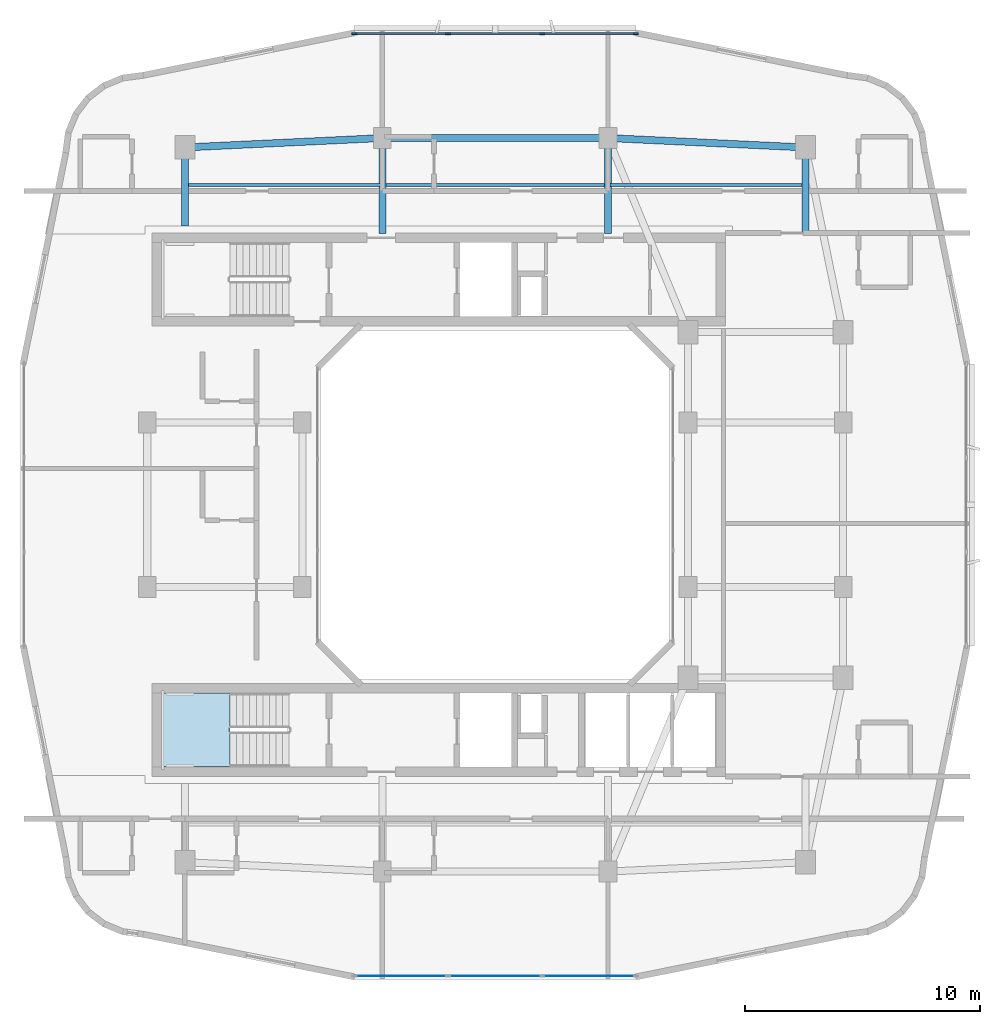
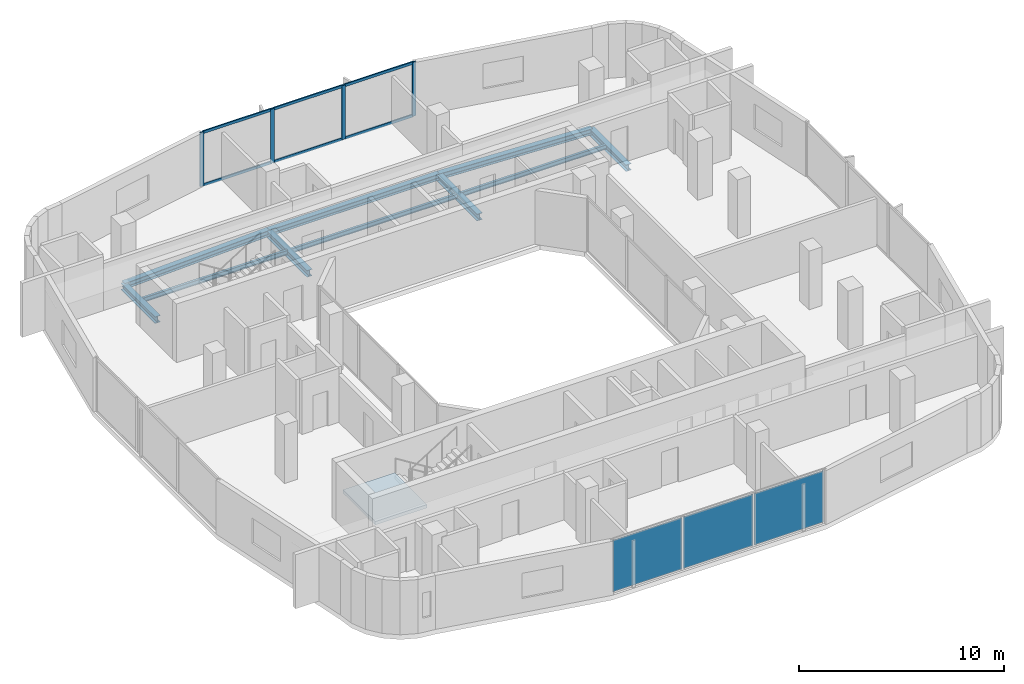
# One storey, part 5 of 14: 10 beams, 10 members, 3 plates, 1 slab, 3 elements without a shape of their own.
"""IFC4 building model written with IfcOpenShell, lengths in metres."""

from ifc_helpers import new_model, si_unit, derived_unit, direction, frame, origin, origin_2d, place, context, subcontext, project, spatial, polyline, rectangle, i_section, outline, extrude, material, layer, layer_set, material_profile, profile_set, type_object, element, aggregate, save


model = new_model("IFC4")

# Units and contexts
model_context = context("Model", 3, precision=1e-05, world=origin(), true_north=direction((0.0, 1.0)))
body_context = subcontext(model_context, "Body", "Model", "MODEL_VIEW")
ifc_project = project(units=[si_unit("LENGTHUNIT", "METRE"), si_unit("AREAUNIT", "SQUARE_METRE"), si_unit("VOLUMEUNIT", "CUBIC_METRE"), si_unit("PLANEANGLEUNIT", "RADIAN"), si_unit("MASSUNIT", "GRAM", prefix="KILO"), derived_unit("THERMALTRANSMITTANCEUNIT", [(si_unit("POWERUNIT", "WATT"), 1), (si_unit("LENGTHUNIT", "METRE"), -2), (si_unit("THERMODYNAMICTEMPERATUREUNIT", "KELVIN"), -1)])], contexts=[model_context])

# Site, building, storey
site_placement = place(None, origin())
site = spatial("IfcSite", under=ifc_project, at=site_placement, CompositionType="ELEMENT")
building_placement = place(site_placement, origin())
building = spatial("IfcBuilding", under=site, at=building_placement, Name="Kivonza Crest Hotel", CompositionType="ELEMENT")
storey_placement = place(building_placement, frame((0.0, 0.0, 148.5)))
storey = spatial("IfcBuildingStorey", under=building, at=storey_placement, Name="L40", CompositionType="ELEMENT", Elevation=148.5)

# Beams
ifc_material_1 = material(Name="Steel S355", Category="steel")
ifc_material_profile_1 = material_profile(ifc_material_1, i_section(OverallWidth=0.300048828125, OverallDepth=0.360107421875, WebThickness=0.012451171875, FlangeThickness=0.0224609375, FilletRadius=0.027099609375, at=origin_2d()), Name="HEB 360")
ifc_profile_set_1 = profile_set([ifc_material_profile_1], Name="Steel S355")
beam_type_1 = type_object("IfcBeamType", Name="BM-HEB360", PredefinedType="SPANDREL", material=ifc_profile_set_1)
beam_1_placement = place(storey_placement, frame((34.199951171875, 40.199951171875, -0.4599609375), z_axis=(-0.998867283688, 0.047583080799, 0.0), x_axis=(-0.047583080799, -0.998867283688, 0.0)))
element("IfcBeam", 1, at=beam_1_placement, inside=storey, type_object=beam_type_1, Name="Tower T1 L40 perimeter spandrel NE-N2", PredefinedType="SPANDREL", context=body_context, shape_type="SweptSolid", body=[
    extrude(i_section(OverallWidth=0.300048828125, OverallDepth=0.360107421875, WebThickness=0.012451171875, FlangeThickness=0.0224609375, FilletRadius=0.027099609375, at=origin_2d()), origin(), (0.0, 0.0, 1.0), 8.409423828125),
])
beam_2_placement = place(storey_placement, frame((25.800048828125, 40.60009765625, -0.4599609375), z_axis=(-1.0, 0.0, 0.0), x_axis=(0.0, -1.0, 0.0)))
element("IfcBeam", 2, at=beam_2_placement, inside=storey, type_object=beam_type_1, Name="Tower T1 L40 perimeter spandrel N2-N1", PredefinedType="SPANDREL", context=body_context, shape_type="SweptSolid", body=[
    extrude(i_section(OverallWidth=0.300048828125, OverallDepth=0.360107421875, WebThickness=0.012451171875, FlangeThickness=0.0224609375, FilletRadius=0.027099609375, at=origin_2d()), origin(), (0.0, 0.0, 1.0), 9.60009765625),
])
beam_3_placement = place(storey_placement, frame((16.199951171875, 40.60009765625, -0.4599609375), z_axis=(-0.998867283688, -0.047583080799, 0.0), x_axis=(0.047583080799, -0.998867283688, 0.0)))
element("IfcBeam", 3, at=beam_3_placement, inside=storey, type_object=beam_type_1, Name="Tower T1 L40 perimeter spandrel N1-NW", PredefinedType="SPANDREL", context=body_context, shape_type="SweptSolid", body=[
    extrude(i_section(OverallWidth=0.300048828125, OverallDepth=0.360107421875, WebThickness=0.012451171875, FlangeThickness=0.0224609375, FilletRadius=0.027099609375, at=origin_2d()), origin(), (0.0, 0.0, 1.0), 8.409423828125),
])
ifc_material_profile_2 = material_profile(ifc_material_1, i_section(OverallWidth=0.300048828125, OverallDepth=0.39990234375, WebThickness=0.013427734375, FlangeThickness=0.02392578125, FilletRadius=0.027099609375, at=origin_2d()), Name="HEB 400")
ifc_profile_set_2 = profile_set([ifc_material_profile_2], Name="Steel S355")
beam_type_2 = type_object("IfcBeamType", Name="BM-HEB400", PredefinedType="BEAM", material=ifc_profile_set_2)
beam_4_placement = place(storey_placement, frame((7.800048828125, 40.199951171875, -0.47998046875), z_axis=(0.0, -1.0, 0.0), x_axis=(1.0, 0.0, 0.0)))
element("IfcBeam", 4, at=beam_4_placement, inside=storey, type_object=beam_type_2, Name="Tower T1 L40 radial core girder RNW", PredefinedType="BEAM", context=body_context, shape_type="SweptSolid", body=[
    extrude(i_section(OverallWidth=0.300048828125, OverallDepth=0.39990234375, WebThickness=0.013427734375, FlangeThickness=0.02392578125, FilletRadius=0.027099609375, at=origin_2d()), origin(), (0.0, 0.0, 1.0), 3.349853515625),
])
for number, where, z_axis, x_axis, name in (
    (5, (16.199951171875, 40.60009765625, -0.47998046875), (0.0, -1.0, 0.0), (1.0, 0.0, 0.0), "Tower T1 L40 radial core girder RN1"),
    (6, (25.800048828125, 40.60009765625, -0.47998046875), (0.0, -1.0, 0.0), (1.0, 0.0, 0.0), "Tower T1 L40 radial core girder RN2"),
):
    element("IfcBeam", number, at=place(storey_placement, frame(where, z_axis=z_axis, x_axis=x_axis)), inside=storey, type_object=beam_type_2, Name=name, PredefinedType="BEAM", context=body_context, shape_type="SweptSolid", body=[
        extrude(i_section(OverallWidth=0.300048828125, OverallDepth=0.39990234375, WebThickness=0.013427734375, FlangeThickness=0.02392578125, FilletRadius=0.027099609375, at=origin_2d()), origin(), (0.0, 0.0, 1.0), 4.050048828125),
    ])
beam_5_placement = place(storey_placement, frame((34.199951171875, 40.199951171875, -0.47998046875), z_axis=(0.0, -1.0, 0.0), x_axis=(1.0, 0.0, 0.0)))
element("IfcBeam", 7, at=beam_5_placement, inside=storey, type_object=beam_type_2, Name="Tower T1 L40 radial core girder RNE", PredefinedType="BEAM", context=body_context, shape_type="SweptSolid", body=[
    extrude(i_section(OverallWidth=0.300048828125, OverallDepth=0.39990234375, WebThickness=0.013427734375, FlangeThickness=0.02392578125, FilletRadius=0.027099609375, at=origin_2d()), origin(), (0.0, 0.0, 1.0), 3.64990234375),
])
ifc_material_profile_3 = material_profile(ifc_material_1, i_section(OverallWidth=0.135009765625, OverallDepth=0.27001953125, WebThickness=0.006591796875, FlangeThickness=0.01025390625, FilletRadius=0.014892578125, at=origin_2d()), Name="IPE 270")
ifc_profile_set_3 = profile_set([ifc_material_profile_3], Name="Steel S355")
beam_type_3 = type_object("IfcBeamType", Name="BM-IPE270", PredefinedType="JOIST", material=ifc_profile_set_3)
beam_6_placement = place(storey_placement, frame((7.8798828125, 38.60009765625, -0.4150390625), z_axis=(1.0, 0.0, 0.0), x_axis=(0.0, 1.0, 0.0)))
element("IfcBeam", 8, at=beam_6_placement, inside=storey, type_object=beam_type_3, Name="Tower T1 L40 North-West floor joist", PredefinedType="JOIST", context=body_context, shape_type="SweptSolid", body=[
    extrude(i_section(OverallWidth=0.135009765625, OverallDepth=0.27001953125, WebThickness=0.006591796875, FlangeThickness=0.01025390625, FilletRadius=0.014892578125, at=origin_2d()), origin(), (0.0, 0.0, 1.0), 8.240234375),
])
beam_7_placement = place(storey_placement, frame((16.280029296875, 38.60009765625, -0.4150390625), z_axis=(1.0, 0.0, 0.0), x_axis=(0.0, 1.0, 0.0)))
element("IfcBeam", 9, at=beam_7_placement, inside=storey, type_object=beam_type_3, Name="Tower T1 L40 North-Mid floor joist", PredefinedType="JOIST", context=body_context, shape_type="SweptSolid", body=[
    extrude(i_section(OverallWidth=0.135009765625, OverallDepth=0.27001953125, WebThickness=0.006591796875, FlangeThickness=0.01025390625, FilletRadius=0.014892578125, at=origin_2d()), origin(), (0.0, 0.0, 1.0), 9.43994140625),
])
beam_8_placement = place(storey_placement, frame((25.8798828125, 38.60009765625, -0.4150390625), z_axis=(1.0, 0.0, 0.0), x_axis=(0.0, 1.0, 0.0)))
element("IfcBeam", 10, at=beam_8_placement, inside=storey, type_object=beam_type_3, Name="Tower T1 L40 North-East floor joist", PredefinedType="JOIST", context=body_context, shape_type="SweptSolid", body=[
    extrude(i_section(OverallWidth=0.135009765625, OverallDepth=0.27001953125, WebThickness=0.006591796875, FlangeThickness=0.01025390625, FilletRadius=0.014892578125, at=origin_2d()), origin(), (0.0, 0.0, 1.0), 8.240234375),
])

# Curtain wall, members
ifc_material_2 = material(Name="Anodised bronze aluminium and low-E double glazing", Category="aluminium")
ifc_layer_1 = layer(ifc_material_2, 0.179931640625)
ifc_layer_set_1 = layer_set([ifc_layer_1], Name="Anodised bronze aluminium and low-E double glazing")
curtain_wall_type = type_object("IfcCurtainWallType", Name="CW-SYS-3", PredefinedType="NOTDEFINED", material=ifc_layer_set_1)
curtain_wall_1_placement = place(storey_placement, origin())
curtain_wall_1 = element("IfcCurtainWall", 11, at=curtain_wall_1_placement, inside=storey, type_object=curtain_wall_type, Name="L40 unitised curtain wall CW-T1-L40-26", PredefinedType="NOTDEFINED")
ifc_material_3 = material(Name="Anodised bronze aluminium", Category="aluminium")
ifc_material_profile_4 = material_profile(ifc_material_3, rectangle(XDim=0.074951171875, YDim=0.219970703125, at=origin_2d()), Name="CW-M 75x220")
ifc_profile_set_4 = profile_set([ifc_material_profile_4], Name="Anodised bronze aluminium")
member_type_1 = type_object("IfcMemberType", Name="CW-MUL-75x220", PredefinedType="MULLION", material=ifc_profile_set_4)
member_1_placement = place(storey_placement, frame((26.982421875, 45.0400390625, 0.0), z_axis=(0.0, 0.0, 1.0), x_axis=(0.0, -1.0, 0.0)))
member_1 = element("IfcMember", 12, at=member_1_placement, type_object=member_type_1, Name="CW-3 mullion 1", PredefinedType="MULLION", context=body_context, shape_type="SweptSolid", body=[
    extrude(rectangle(XDim=0.074951171875, YDim=0.219970703125, at=origin_2d()), origin(), (0.0, 0.0, 1.0), 3.219970703125),
])
member_2_placement = place(storey_placement, frame((23.006591796875, 45.0400390625, 0.0), z_axis=(0.0, 0.0, 1.0), x_axis=(0.0, -1.0, 0.0)))
member_2 = element("IfcMember", 13, at=member_2_placement, type_object=member_type_1, Name="CW-3 mullion 2", PredefinedType="MULLION", context=body_context, shape_type="SweptSolid", body=[
    extrude(rectangle(XDim=0.074951171875, YDim=0.219970703125, at=origin_2d()), origin(), (0.0, 0.0, 1.0), 3.219970703125),
])
member_3_placement = place(storey_placement, frame((18.993408203125, 45.0400390625, 0.0), z_axis=(0.0, 0.0, 1.0), x_axis=(0.0, -1.0, 0.0)))
member_3 = element("IfcMember", 14, at=member_3_placement, type_object=member_type_1, Name="CW-3 mullion 3", PredefinedType="MULLION", context=body_context, shape_type="SweptSolid", body=[
    extrude(rectangle(XDim=0.074951171875, YDim=0.219970703125, at=origin_2d()), origin(), (0.0, 0.0, 1.0), 3.219970703125),
])
member_4_placement = place(storey_placement, frame((15.017578125, 45.0400390625, 0.0), z_axis=(0.0, 0.0, 1.0), x_axis=(0.0, -1.0, 0.0)))
member_4 = element("IfcMember", 15, at=member_4_placement, type_object=member_type_1, Name="CW-3 mullion 4", PredefinedType="MULLION", context=body_context, shape_type="SweptSolid", body=[
    extrude(rectangle(XDim=0.074951171875, YDim=0.219970703125, at=origin_2d()), origin(), (0.0, 0.0, 1.0), 3.219970703125),
])
ifc_material_profile_5 = material_profile(ifc_material_3, rectangle(XDim=0.074951171875, YDim=0.159912109375, at=origin_2d()), Name="CW-T 75x160")
ifc_profile_set_5 = profile_set([ifc_material_profile_5], Name="Anodised bronze aluminium")
member_type_2 = type_object("IfcMemberType", Name="CW-TRN-75x160", PredefinedType="USERDEFINED", material=ifc_profile_set_5)
member_5_placement = place(storey_placement, frame((26.945068359375, 45.0400390625, 0.03759765625), z_axis=(-1.0, 0.0, 0.0), x_axis=(0.0, -1.0, 0.0)))
member_5 = element("IfcMember", 16, at=member_5_placement, type_object=member_type_2, Name="CW-3 transom 1.1", ObjectType="TRANSOM", PredefinedType="USERDEFINED", context=body_context, shape_type="SweptSolid", body=[
    extrude(rectangle(XDim=0.074951171875, YDim=0.159912109375, at=origin_2d()), origin(), (0.0, 0.0, 1.0), 3.90087890625),
])
member_6_placement = place(storey_placement, frame((26.945068359375, 45.0400390625, 3.1826171875), z_axis=(-1.0, 0.0, 0.0), x_axis=(0.0, -1.0, 0.0)))
member_6 = element("IfcMember", 17, at=member_6_placement, type_object=member_type_2, Name="CW-3 transom 1.2", ObjectType="TRANSOM", PredefinedType="USERDEFINED", context=body_context, shape_type="SweptSolid", body=[
    extrude(rectangle(XDim=0.074951171875, YDim=0.159912109375, at=origin_2d()), origin(), (0.0, 0.0, 1.0), 3.90087890625),
])
member_7_placement = place(storey_placement, frame((22.96923828125, 45.0400390625, 0.03759765625), z_axis=(-1.0, 0.0, 0.0), x_axis=(0.0, -1.0, 0.0)))
member_7 = element("IfcMember", 18, at=member_7_placement, type_object=member_type_2, Name="CW-3 transom 2.1", ObjectType="TRANSOM", PredefinedType="USERDEFINED", context=body_context, shape_type="SweptSolid", body=[
    extrude(rectangle(XDim=0.074951171875, YDim=0.159912109375, at=origin_2d()), origin(), (0.0, 0.0, 1.0), 3.9384765625),
])
member_8_placement = place(storey_placement, frame((22.96923828125, 45.0400390625, 3.1826171875), z_axis=(-1.0, 0.0, 0.0), x_axis=(0.0, -1.0, 0.0)))
member_8 = element("IfcMember", 19, at=member_8_placement, type_object=member_type_2, Name="CW-3 transom 2.2", ObjectType="TRANSOM", PredefinedType="USERDEFINED", context=body_context, shape_type="SweptSolid", body=[
    extrude(rectangle(XDim=0.074951171875, YDim=0.159912109375, at=origin_2d()), origin(), (0.0, 0.0, 1.0), 3.9384765625),
])
member_9_placement = place(storey_placement, frame((18.955810546875, 45.0400390625, 0.03759765625), z_axis=(-1.0, 0.0, 0.0), x_axis=(0.0, -1.0, 0.0)))
member_9 = element("IfcMember", 20, at=member_9_placement, type_object=member_type_2, Name="CW-3 transom 3.1", ObjectType="TRANSOM", PredefinedType="USERDEFINED", context=body_context, shape_type="SweptSolid", body=[
    extrude(rectangle(XDim=0.074951171875, YDim=0.159912109375, at=origin_2d()), origin(), (0.0, 0.0, 1.0), 3.90087890625),
])
member_10_placement = place(storey_placement, frame((18.955810546875, 45.0400390625, 3.1826171875), z_axis=(-1.0, 0.0, 0.0), x_axis=(0.0, -1.0, 0.0)))
member_10 = element("IfcMember", 21, at=member_10_placement, type_object=member_type_2, Name="CW-3 transom 3.2", ObjectType="TRANSOM", PredefinedType="USERDEFINED", context=body_context, shape_type="SweptSolid", body=[
    extrude(rectangle(XDim=0.074951171875, YDim=0.159912109375, at=origin_2d()), origin(), (0.0, 0.0, 1.0), 3.90087890625),
])
aggregate(curtain_wall_1, [member_1, member_2, member_3, member_4, member_5, member_6, member_7, member_8, member_9, member_10])

# Curtain wall, plates
curtain_wall_2_placement = place(storey_placement, origin())
curtain_wall_2 = element("IfcCurtainWall", 22, at=curtain_wall_2_placement, inside=storey, type_object=curtain_wall_type, Name="L40 unitised curtain wall CW-T1-L40-08", PredefinedType="NOTDEFINED")
ifc_material_4 = material(Name="Acoustic triple-laminated low-E glazing", Category="glass")
ifc_layer_2 = layer(ifc_material_4, 0.035888671875)
ifc_layer_set_2 = layer_set([ifc_layer_2], Name="Acoustic triple-laminated low-E glazing")
plate_type = type_object("IfcPlateType", Name="CW-PNL-36", PredefinedType="CURTAIN_PANEL", material=ifc_layer_set_2)
plate_1_placement = place(storey_placement, frame((17.00537109375, 4.9599609375, 0.0751953125), z_axis=(0.0, 0.0, 1.0), x_axis=(1.0, 0.0, 0.0)))
plate_1 = element("IfcPlate", 23, at=plate_1_placement, type_object=plate_type, Name="CW-3 panel 1.1", PredefinedType="CURTAIN_PANEL", context=body_context, shape_type="SweptSolid", body=[
    extrude(rectangle(XDim=3.90087890625, YDim=0.035888671875, at=origin_2d()), origin(), (0.0, 0.0, 1.0), 3.070068359375),
])
plate_2_placement = place(storey_placement, frame((21.0, 4.9599609375, 0.0751953125), z_axis=(0.0, 0.0, 1.0), x_axis=(1.0, 0.0, 0.0)))
plate_2 = element("IfcPlate", 24, at=plate_2_placement, type_object=plate_type, Name="CW-3 panel 2.1", PredefinedType="CURTAIN_PANEL", context=body_context, shape_type="SweptSolid", body=[
    extrude(rectangle(XDim=3.938232421875, YDim=0.035888671875, at=origin_2d()), origin(), (0.0, 0.0, 1.0), 3.070068359375),
])
plate_3_placement = place(storey_placement, frame((24.99462890625, 4.9599609375, 0.0751953125), z_axis=(0.0, 0.0, 1.0), x_axis=(1.0, 0.0, 0.0)))
plate_3 = element("IfcPlate", 25, at=plate_3_placement, type_object=plate_type, Name="CW-3 panel 3.1", PredefinedType="CURTAIN_PANEL", context=body_context, shape_type="SweptSolid", body=[
    extrude(rectangle(XDim=3.90087890625, YDim=0.035888671875, at=origin_2d()), origin(), (0.0, 0.0, 1.0), 3.070068359375),
])
aggregate(curtain_wall_2, [plate_1, plate_2, plate_3])

# Stair, slab
ifc_material_5 = material(Name="Concrete C40/50", Category="concrete")
stair_type = type_object("IfcStairType", Name="ST-DL-20R", PredefinedType="HALF_TURN_STAIR", material=ifc_material_5)
stair_placement = place(storey_placement, origin())
stair = element("IfcStair", 26, at=stair_placement, inside=storey, type_object=stair_type, Name="L40 Protected Exit Stair ST-T1-S", PredefinedType="HALF_TURN_STAIR")
ifc_layer_3 = layer(ifc_material_5, 0.199951171875)
ifc_layer_set_3 = layer_set([ifc_layer_3], Name="Concrete C40/50")
slab_type = type_object("IfcSlabType", Name="SL-LAND-200", PredefinedType="LANDING", material=ifc_layer_set_3)
slab_placement = place(storey_placement, frame((0.0, 0.0, 1.550048828125)))
slab = element("IfcSlab", 27, at=slab_placement, type_object=slab_type, Name="ST-T1-S landing 1", PredefinedType="LANDING", context=body_context, shape_type="SweptSolid", body=[
    extrude(outline(polyline([(9.719970703125, 17.0), (6.800048828125, 17.0), (6.800048828125, 13.860107421875), (9.719970703125, 13.860107421875), (9.719970703125, 17.0)])), origin(), (0.0, 0.0, 1.0), 0.199951171875),
])
aggregate(stair, [slab])

save(model, "model.ifc")
